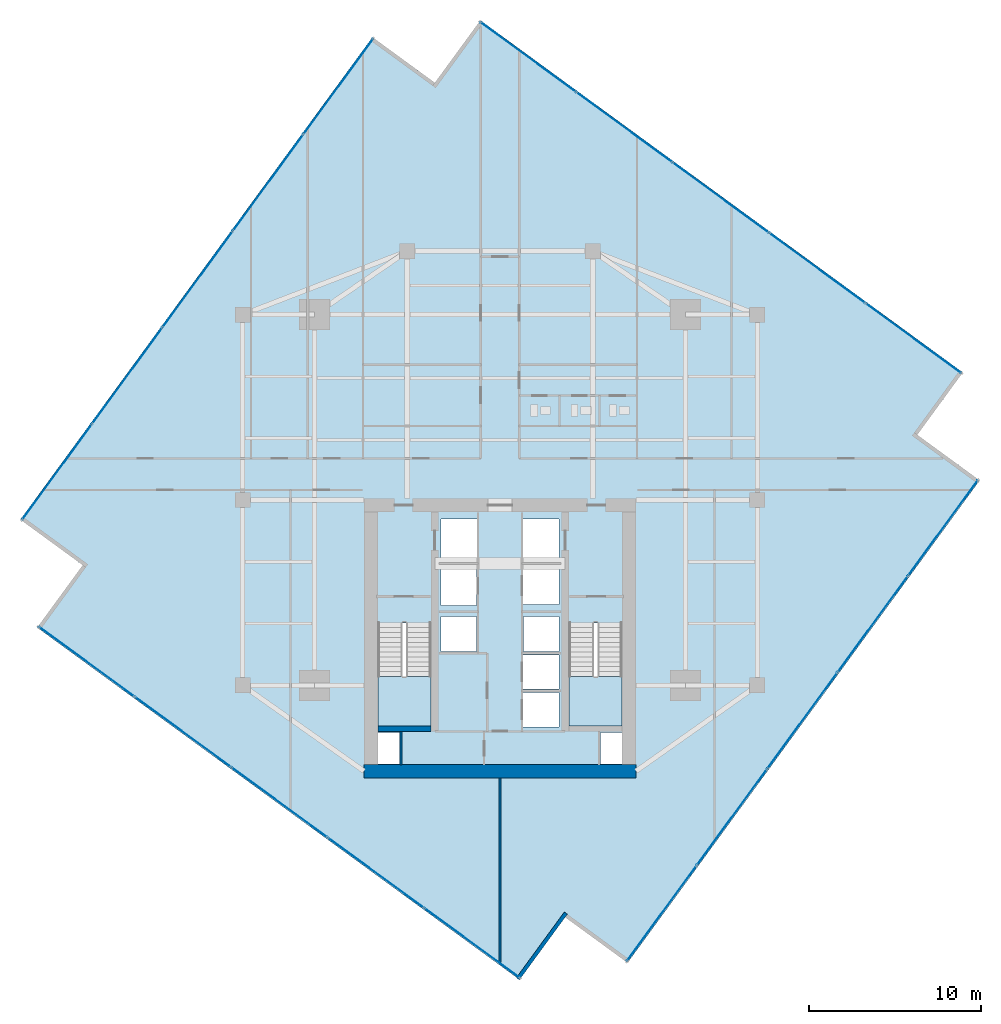
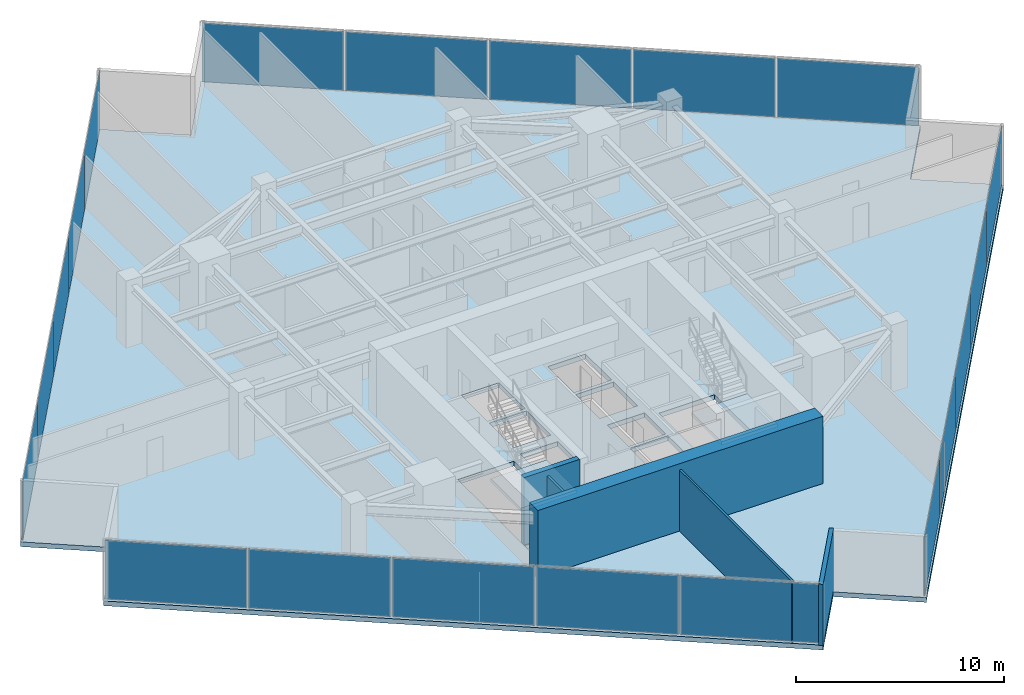
# One storey, part 20 of 25: 20 plates, 5 walls, 3 slabs, 6 elements without a shape of their own.
"""IFC4 building model written with IfcOpenShell, lengths in metres."""

from ifc_helpers import new_model, si_unit, direction, frame, frame_2d, origin, origin_2d, place, context, subcontext, project, spatial, polyline, rectangle, outline, extrude, source, transform, mapped, material, layer, layer_set, type_object, type_shapes, element, aggregate, save


model = new_model("IFC4")

# Units and contexts
model_context = context("Model", 3, precision=1e-05, world=origin(), true_north=direction((0.0, 1.0)))
body_context = subcontext(model_context, "Body", "Model", "MODEL_VIEW")
ifc_project = project(units=[si_unit("LENGTHUNIT", "METRE"), si_unit("AREAUNIT", "SQUARE_METRE"), si_unit("VOLUMEUNIT", "CUBIC_METRE"), si_unit("PLANEANGLEUNIT", "RADIAN"), si_unit("MASSUNIT", "GRAM", prefix="KILO")], contexts=[model_context])

# Site, building, storey
site_placement = place(None, origin())
site = spatial("IfcSite", under=ifc_project, at=site_placement, CompositionType="ELEMENT")
building_placement = place(site_placement, origin())
building = spatial("IfcBuilding", under=site, at=building_placement, Name="Krantzveldt Concourse Tower", CompositionType="ELEMENT")
storey_placement = place(building_placement, frame((0.0, 0.0, 197.550048828125)))
storey = spatial("IfcBuildingStorey", under=building, at=storey_placement, Name="L48", CompositionType="ELEMENT", Elevation=197.550048828125)

# Stair, slab
ifc_material_1 = material(Name="Precast concrete C40/50", Category="concrete")
stair_type = type_object("IfcStairType", Name="STR-CORE-DOGLEG", PredefinedType="HALF_TURN_STAIR", material=ifc_material_1)
stair_1_placement = place(storey_placement, origin())
stair_1 = element("IfcStair", 1, at=stair_1_placement, inside=storey, type_object=stair_type, Name="L48 Protected Escape Stair ST-1", PredefinedType="HALF_TURN_STAIR")
ifc_layer_1 = layer(ifc_material_1, 0.199951171875, Name="Precast concrete C40/50", Category="concrete")
ifc_layer_set_1 = layer_set([ifc_layer_1], Name="Precast concrete C40/50 (SL-LANDING-200)")
slab_type_1 = type_object("IfcSlabType", Name="SL-LANDING-200", PredefinedType="LANDING", material=ifc_layer_set_1)
slab_1_placement = place(storey_placement, frame((0.0, 0.0, 1.77490234375)))
slab_1 = element("IfcSlab", 2, at=slab_1_placement, type_object=slab_type_1, Name="ST-1 landing 1", PredefinedType="LANDING", context=body_context, shape_type="SweptSolid", body=[
    extrude(outline(polyline([(28.8798828125, 16.4150390625), (28.8798828125, 13.52001953125), (31.97998046875, 13.52001953125), (31.97998046875, 16.4150390625), (28.8798828125, 16.4150390625)])), origin(), (0.0, 0.0, 1.0), 0.199951171875),
])
aggregate(stair_1, [slab_1])

stair_2_placement = place(storey_placement, origin())
stair_2 = element("IfcStair", 3, at=stair_2_placement, inside=storey, type_object=stair_type, Name="L48 Protected Escape Stair ST-2", PredefinedType="HALF_TURN_STAIR")
slab_2_placement = place(storey_placement, frame((0.0, 0.0, 1.77490234375)))
slab_2 = element("IfcSlab", 4, at=slab_2_placement, type_object=slab_type_1, Name="ST-2 landing 1", PredefinedType="LANDING", context=body_context, shape_type="SweptSolid", body=[
    extrude(outline(polyline([(40.02001953125, 16.4150390625), (40.02001953125, 13.52001953125), (43.1201171875, 13.52001953125), (43.1201171875, 16.4150390625), (40.02001953125, 16.4150390625)])), origin(), (0.0, 0.0, 1.0), 0.199951171875),
])
aggregate(stair_2, [slab_2])

# Slab
ifc_material_2 = material(Name="Concrete C40/50", Category="concrete")
ifc_layer_2 = layer(ifc_material_2, 0.280029296875, Name="Concrete C40/50", Category="concrete")
ifc_layer_set_2 = layer_set([ifc_layer_2], Name="Concrete C40/50 (SL-SL-TWR280)")
slab_type_2 = type_object("IfcSlabType", Name="SL-SL-TWR280", PredefinedType="FLOOR", material=ifc_layer_set_2)
slab_3_placement = place(storey_placement, frame((0.0, 0.0, -0.280029296875)))
element("IfcSlab", 5, at=slab_3_placement, inside=storey, type_object=slab_type_2, Name="SL-L48-MAIN", PredefinedType="FLOOR", context=body_context, shape_type="SweptSolid", body=[
    extrude(outline(polyline([(32.20361328125, 51.0126953125), (28.56884765625, 53.665771484375), (8.052490234375, 25.556640625), (11.687255859375, 22.903564453125), (9.034423828125, 19.268798828125), (37.143310546875, -1.24755859375), (39.79638671875, 2.38720703125), (43.43115234375, -0.265625), (63.947509765625, 27.843505859375), (60.312744140625, 30.496337890625), (62.965576171875, 34.131103515625), (34.856689453125, 54.6474609375), (32.20361328125, 51.0126953125)]), holes=[polyline([(28.8798828125, 19.547607421875), (28.8798828125, 13.52001953125), (31.97998046875, 13.52001953125), (31.97998046875, 19.547607421875), (28.8798828125, 19.547607421875)]), polyline([(40.02001953125, 19.547607421875), (40.02001953125, 13.52001953125), (43.1201171875, 13.52001953125), (43.1201171875, 19.547607421875), (40.02001953125, 19.547607421875)]), polyline([(32.550048828125, 23.10009765625), (34.64990234375, 23.10009765625), (34.64990234375, 25.60009765625), (32.550048828125, 25.60009765625), (32.550048828125, 23.10009765625)]), polyline([(37.35009765625, 23.10009765625), (39.449951171875, 23.10009765625), (39.449951171875, 25.60009765625), (37.35009765625, 25.60009765625), (37.35009765625, 23.10009765625)]), polyline([(37.35009765625, 20.60009765625), (39.449951171875, 20.60009765625), (39.449951171875, 22.89990234375), (37.35009765625, 22.89990234375), (37.35009765625, 20.60009765625)]), polyline([(37.35009765625, 13.47998046875), (39.449951171875, 13.47998046875), (39.449951171875, 15.47998046875), (37.35009765625, 15.47998046875), (37.35009765625, 13.47998046875)]), polyline([(37.35009765625, 15.679931640625), (39.449951171875, 15.679931640625), (39.449951171875, 17.679931640625), (37.35009765625, 17.679931640625), (37.35009765625, 15.679931640625)]), polyline([(32.550048828125, 20.550048828125), (34.6201171875, 20.550048828125), (34.6201171875, 22.89990234375), (32.550048828125, 22.89990234375), (32.550048828125, 20.550048828125)]), polyline([(32.550048828125, 17.8798828125), (34.6201171875, 17.8798828125), (34.6201171875, 19.919921875), (32.550048828125, 19.919921875), (32.550048828125, 17.8798828125)]), polyline([(37.3798828125, 17.8798828125), (39.449951171875, 17.8798828125), (39.449951171875, 19.919921875), (37.3798828125, 19.919921875), (37.3798828125, 17.8798828125)]), polyline([(28.8798828125, 11.320068359375), (30.139892578125, 11.320068359375), (30.139892578125, 13.159912109375), (28.8798828125, 13.159912109375), (28.8798828125, 11.320068359375)]), polyline([(41.860107421875, 11.320068359375), (43.1201171875, 11.320068359375), (43.1201171875, 13.159912109375), (41.860107421875, 13.159912109375), (41.860107421875, 11.320068359375)])]), origin(), (0.0, 0.0, 1.0), 0.280029296875),
])

# Curtain wall, plates
ifc_material_3 = material(Name="Anodised aluminium 6063-T6", Category="aluminium")
curtain_wall_type = type_object("IfcCurtainWallType", Name="CW3", PredefinedType="USERDEFINED", material=ifc_material_3)
curtain_wall_1_placement = place(storey_placement, origin())
curtain_wall_1 = element("IfcCurtainWall", 6, at=curtain_wall_1_placement, inside=storey, type_object=curtain_wall_type, Name="CW-L48-F01", ObjectType="UNITISED CURTAIN WALL", PredefinedType="USERDEFINED")
ifc_material_4 = material(Name="Bronze-tinted laminated low-E IGU glass", Category="glass")
ifc_layer_3 = layer(ifc_material_4, 0.031982421875, Name="Bronze-tinted laminated low-E IGU glass", Category="glass")
ifc_layer_set_3 = layer_set([ifc_layer_3], Name="Bronze-tinted laminated low-E IGU glass (CW-GLZ-32)")
plate_type = type_object("IfcPlateType", Name="CW-GLZ-32", PredefinedType="CURTAIN_PANEL", material=ifc_layer_set_3)
shared_shape_1 = source(origin(), body_context, "Body", "SweptSolid", [
    extrude(rectangle(XDim=6.85498046875, YDim=0.031982421875, at=origin_2d()), origin(), (0.0, 0.0, 1.0), 3.449951171875),
])
plate_1_placement = place(storey_placement, frame((26.57958984375, 50.78759765625, 0.06982421875), z_axis=(0.0, 0.0, 1.0), x_axis=(-0.589548833895, -0.807732735781, 0.0)))
plate_1 = element("IfcPlate", 7, at=plate_1_placement, type_object=plate_type, Name="CW-Z34 panel 1.1", PredefinedType="CURTAIN_PANEL", context=body_context, shape_type="MappedRepresentation", body=[
    mapped(shared_shape_1, transform((0.0, 0.0, 0.0), x_axis=(1.0, 0.0, 0.0), y_axis=(0.0, 1.0, 0.0), z_axis=(0.0, 0.0, 1.0), scale=1.0)),
])
plate_2_placement = place(storey_placement, frame((10.187255859375, 28.32861328125, 0.06982421875), z_axis=(0.0, 0.0, 1.0), x_axis=(-0.589548833895, -0.807732735781, 0.0)))
plate_2 = element("IfcPlate", 8, at=plate_2_placement, type_object=plate_type, Name="CW-Z34 panel 5.1", PredefinedType="CURTAIN_PANEL", context=body_context, shape_type="MappedRepresentation", body=[
    mapped(shared_shape_1, transform((0.0, 0.0, 0.0), x_axis=(1.0, 0.0, 0.0), y_axis=(0.0, 1.0, 0.0), z_axis=(0.0, 0.0, 1.0), scale=1.0)),
])

curtain_wall_2_placement = place(storey_placement, origin())
curtain_wall_2 = element("IfcCurtainWall", 9, at=curtain_wall_2_placement, inside=storey, type_object=curtain_wall_type, Name="CW-L48-F04", ObjectType="UNITISED CURTAIN WALL", PredefinedType="USERDEFINED")
plate_3_placement = place(storey_placement, frame((11.912353515625, 17.279541015625, 0.06982421875), z_axis=(0.0, 0.0, 1.0), x_axis=(0.807732735781, -0.589548833895, 0.0)))
plate_3 = element("IfcPlate", 10, at=plate_3_placement, type_object=plate_type, Name="CW-Z34 panel 1.1", PredefinedType="CURTAIN_PANEL", context=body_context, shape_type="MappedRepresentation", body=[
    mapped(shared_shape_1, transform((0.0, 0.0, 0.0), x_axis=(1.0, 0.0, 0.0), y_axis=(0.0, 1.0, 0.0), z_axis=(0.0, 0.0, 1.0), scale=1.0)),
])
plate_4_placement = place(storey_placement, frame((34.371337890625, 0.88720703125, 0.06982421875), z_axis=(0.0, 0.0, 1.0), x_axis=(0.807732735781, -0.589548833895, 0.0)))
plate_4 = element("IfcPlate", 11, at=plate_4_placement, type_object=plate_type, Name="CW-Z34 panel 5.1", PredefinedType="CURTAIN_PANEL", context=body_context, shape_type="MappedRepresentation", body=[
    mapped(shared_shape_1, transform((0.0, 0.0, 0.0), x_axis=(1.0, 0.0, 0.0), y_axis=(0.0, 1.0, 0.0), z_axis=(0.0, 0.0, 1.0), scale=1.0)),
])

curtain_wall_3_placement = place(storey_placement, origin())
curtain_wall_3 = element("IfcCurtainWall", 12, at=curtain_wall_3_placement, inside=storey, type_object=curtain_wall_type, Name="CW-L48-F07", ObjectType="UNITISED CURTAIN WALL", PredefinedType="USERDEFINED")
plate_5_placement = place(storey_placement, frame((45.42041015625, 2.612548828125, 0.06982421875), z_axis=(0.0, 0.0, 1.0), x_axis=(0.589548833895, 0.807732735781, 0.0)))
plate_5 = element("IfcPlate", 13, at=plate_5_placement, type_object=plate_type, Name="CW-Z34 panel 1.1", PredefinedType="CURTAIN_PANEL", context=body_context, shape_type="MappedRepresentation", body=[
    mapped(shared_shape_1, transform((0.0, 0.0, 0.0), x_axis=(1.0, 0.0, 0.0), y_axis=(0.0, 1.0, 0.0), z_axis=(0.0, 0.0, 1.0), scale=1.0)),
])
plate_6_placement = place(storey_placement, frame((61.812744140625, 25.071533203125, 0.06982421875), z_axis=(0.0, 0.0, 1.0), x_axis=(0.589548833895, 0.807732735781, 0.0)))
plate_6 = element("IfcPlate", 14, at=plate_6_placement, type_object=plate_type, Name="CW-Z34 panel 5.1", PredefinedType="CURTAIN_PANEL", context=body_context, shape_type="MappedRepresentation", body=[
    mapped(shared_shape_1, transform((0.0, 0.0, 0.0), x_axis=(1.0, 0.0, 0.0), y_axis=(0.0, 1.0, 0.0), z_axis=(0.0, 0.0, 1.0), scale=1.0)),
])

curtain_wall_4_placement = place(storey_placement, origin())
curtain_wall_4 = element("IfcCurtainWall", 15, at=curtain_wall_4_placement, inside=storey, type_object=curtain_wall_type, Name="CW-L48-F10", ObjectType="UNITISED CURTAIN WALL", PredefinedType="USERDEFINED")
plate_7_placement = place(storey_placement, frame((60.087646484375, 36.120361328125, 0.06982421875), z_axis=(0.0, 0.0, 1.0), x_axis=(-0.807732735781, 0.589548833895, 0.0)))
plate_7 = element("IfcPlate", 16, at=plate_7_placement, type_object=plate_type, Name="CW-Z34 panel 1.1", PredefinedType="CURTAIN_PANEL", context=body_context, shape_type="MappedRepresentation", body=[
    mapped(shared_shape_1, transform((0.0, 0.0, 0.0), x_axis=(1.0, 0.0, 0.0), y_axis=(0.0, 1.0, 0.0), z_axis=(0.0, 0.0, 1.0), scale=1.0)),
])
plate_8_placement = place(storey_placement, frame((37.628662109375, 52.512939453125, 0.06982421875), z_axis=(0.0, 0.0, 1.0), x_axis=(-0.807732735781, 0.589548833895, 0.0)))
plate_8 = element("IfcPlate", 17, at=plate_8_placement, type_object=plate_type, Name="CW-Z34 panel 5.1", PredefinedType="CURTAIN_PANEL", context=body_context, shape_type="MappedRepresentation", body=[
    mapped(shared_shape_1, transform((0.0, 0.0, 0.0), x_axis=(1.0, 0.0, 0.0), y_axis=(0.0, 1.0, 0.0), z_axis=(0.0, 0.0, 1.0), scale=1.0)),
])

# Plate
shared_shape_2 = source(origin(), body_context, "Body", "SweptSolid", [
    extrude(rectangle(XDim=6.889892578125, YDim=0.031982421875, at=origin_2d()), origin(), (0.0, 0.0, 1.0), 3.449951171875),
])
type_shapes(plate_type, [shared_shape_1, shared_shape_2])
plate_9_placement = place(storey_placement, frame((22.486572265625, 45.179931640625, 0.06982421875), z_axis=(0.0, 0.0, 1.0), x_axis=(-0.589548833895, -0.807732735781, 0.0)))
plate_9 = element("IfcPlate", 18, at=plate_9_placement, type_object=plate_type, Name="CW-Z34 panel 2.1", PredefinedType="CURTAIN_PANEL", context=body_context, shape_type="MappedRepresentation", body=[
    mapped(shared_shape_2, transform((0.0, 0.0, 0.0), x_axis=(1.0, 0.0, 0.0), y_axis=(0.0, 1.0, 0.0), z_axis=(0.0, 0.0, 1.0), scale=1.0)),
])

plate_10_placement = place(storey_placement, frame((18.38330078125, 39.55810546875, 0.06982421875), z_axis=(0.0, 0.0, 1.0), x_axis=(-0.589548833895, -0.807732735781, 0.0)))
plate_10 = element("IfcPlate", 19, at=plate_10_placement, type_object=plate_type, Name="CW-Z34 panel 3.1", PredefinedType="CURTAIN_PANEL", context=body_context, shape_type="MappedRepresentation", body=[
    mapped(shared_shape_2, transform((0.0, 0.0, 0.0), x_axis=(1.0, 0.0, 0.0), y_axis=(0.0, 1.0, 0.0), z_axis=(0.0, 0.0, 1.0), scale=1.0)),
])

plate_11_placement = place(storey_placement, frame((14.280029296875, 33.936279296875, 0.06982421875), z_axis=(0.0, 0.0, 1.0), x_axis=(-0.589548833895, -0.807732735781, 0.0)))
plate_11 = element("IfcPlate", 20, at=plate_11_placement, type_object=plate_type, Name="CW-Z34 panel 4.1", PredefinedType="CURTAIN_PANEL", context=body_context, shape_type="MappedRepresentation", body=[
    mapped(shared_shape_2, transform((0.0, 0.0, 0.0), x_axis=(1.0, 0.0, 0.0), y_axis=(0.0, 1.0, 0.0), z_axis=(0.0, 0.0, 1.0), scale=1.0)),
])

aggregate(curtain_wall_1, [plate_1, plate_9, plate_10, plate_11, plate_2])

plate_12_placement = place(storey_placement, frame((17.52001953125, 13.1865234375, 0.06982421875), z_axis=(0.0, 0.0, 1.0), x_axis=(0.807732735781, -0.589548833895, 0.0)))
plate_12 = element("IfcPlate", 21, at=plate_12_placement, type_object=plate_type, Name="CW-Z34 panel 2.1", PredefinedType="CURTAIN_PANEL", context=body_context, shape_type="MappedRepresentation", body=[
    mapped(shared_shape_2, transform((0.0, 0.0, 0.0), x_axis=(1.0, 0.0, 0.0), y_axis=(0.0, 1.0, 0.0), z_axis=(0.0, 0.0, 1.0), scale=1.0)),
])

plate_13_placement = place(storey_placement, frame((23.141845703125, 9.083251953125, 0.06982421875), z_axis=(0.0, 0.0, 1.0), x_axis=(0.807732735781, -0.589548833895, 0.0)))
plate_13 = element("IfcPlate", 22, at=plate_13_placement, type_object=plate_type, Name="CW-Z34 panel 3.1", PredefinedType="CURTAIN_PANEL", context=body_context, shape_type="MappedRepresentation", body=[
    mapped(shared_shape_2, transform((0.0, 0.0, 0.0), x_axis=(1.0, 0.0, 0.0), y_axis=(0.0, 1.0, 0.0), z_axis=(0.0, 0.0, 1.0), scale=1.0)),
])

plate_14_placement = place(storey_placement, frame((28.763671875, 4.97998046875, 0.06982421875), z_axis=(0.0, 0.0, 1.0), x_axis=(0.807732735781, -0.589548833895, 0.0)))
plate_14 = element("IfcPlate", 23, at=plate_14_placement, type_object=plate_type, Name="CW-Z34 panel 4.1", PredefinedType="CURTAIN_PANEL", context=body_context, shape_type="MappedRepresentation", body=[
    mapped(shared_shape_2, transform((0.0, 0.0, 0.0), x_axis=(1.0, 0.0, 0.0), y_axis=(0.0, 1.0, 0.0), z_axis=(0.0, 0.0, 1.0), scale=1.0)),
])

aggregate(curtain_wall_2, [plate_3, plate_12, plate_13, plate_14, plate_4])

plate_15_placement = place(storey_placement, frame((49.513427734375, 8.22021484375, 0.06982421875), z_axis=(0.0, 0.0, 1.0), x_axis=(0.589548833895, 0.807732735781, 0.0)))
plate_15 = element("IfcPlate", 24, at=plate_15_placement, type_object=plate_type, Name="CW-Z34 panel 2.1", PredefinedType="CURTAIN_PANEL", context=body_context, shape_type="MappedRepresentation", body=[
    mapped(shared_shape_2, transform((0.0, 0.0, 0.0), x_axis=(1.0, 0.0, 0.0), y_axis=(0.0, 1.0, 0.0), z_axis=(0.0, 0.0, 1.0), scale=1.0)),
])

plate_16_placement = place(storey_placement, frame((53.61669921875, 13.842041015625, 0.06982421875), z_axis=(0.0, 0.0, 1.0), x_axis=(0.589548833895, 0.807732735781, 0.0)))
plate_16 = element("IfcPlate", 25, at=plate_16_placement, type_object=plate_type, Name="CW-Z34 panel 3.1", PredefinedType="CURTAIN_PANEL", context=body_context, shape_type="MappedRepresentation", body=[
    mapped(shared_shape_2, transform((0.0, 0.0, 0.0), x_axis=(1.0, 0.0, 0.0), y_axis=(0.0, 1.0, 0.0), z_axis=(0.0, 0.0, 1.0), scale=1.0)),
])

plate_17_placement = place(storey_placement, frame((57.719970703125, 19.4638671875, 0.06982421875), z_axis=(0.0, 0.0, 1.0), x_axis=(0.589548833895, 0.807732735781, 0.0)))
plate_17 = element("IfcPlate", 26, at=plate_17_placement, type_object=plate_type, Name="CW-Z34 panel 4.1", PredefinedType="CURTAIN_PANEL", context=body_context, shape_type="MappedRepresentation", body=[
    mapped(shared_shape_2, transform((0.0, 0.0, 0.0), x_axis=(1.0, 0.0, 0.0), y_axis=(0.0, 1.0, 0.0), z_axis=(0.0, 0.0, 1.0), scale=1.0)),
])

aggregate(curtain_wall_3, [plate_5, plate_15, plate_16, plate_17, plate_6])

plate_18_placement = place(storey_placement, frame((54.47998046875, 40.21337890625, 0.06982421875), z_axis=(0.0, 0.0, 1.0), x_axis=(-0.807732735781, 0.589548833895, 0.0)))
plate_18 = element("IfcPlate", 27, at=plate_18_placement, type_object=plate_type, Name="CW-Z34 panel 2.1", PredefinedType="CURTAIN_PANEL", context=body_context, shape_type="MappedRepresentation", body=[
    mapped(shared_shape_2, transform((0.0, 0.0, 0.0), x_axis=(1.0, 0.0, 0.0), y_axis=(0.0, 1.0, 0.0), z_axis=(0.0, 0.0, 1.0), scale=1.0)),
])

plate_19_placement = place(storey_placement, frame((48.858154296875, 44.316650390625, 0.06982421875), z_axis=(0.0, 0.0, 1.0), x_axis=(-0.807732735781, 0.589548833895, 0.0)))
plate_19 = element("IfcPlate", 28, at=plate_19_placement, type_object=plate_type, Name="CW-Z34 panel 3.1", PredefinedType="CURTAIN_PANEL", context=body_context, shape_type="MappedRepresentation", body=[
    mapped(shared_shape_2, transform((0.0, 0.0, 0.0), x_axis=(1.0, 0.0, 0.0), y_axis=(0.0, 1.0, 0.0), z_axis=(0.0, 0.0, 1.0), scale=1.0)),
])

plate_20_placement = place(storey_placement, frame((43.236328125, 48.419921875, 0.06982421875), z_axis=(0.0, 0.0, 1.0), x_axis=(-0.807732735781, 0.589548833895, 0.0)))
plate_20 = element("IfcPlate", 29, at=plate_20_placement, type_object=plate_type, Name="CW-Z34 panel 4.1", PredefinedType="CURTAIN_PANEL", context=body_context, shape_type="MappedRepresentation", body=[
    mapped(shared_shape_2, transform((0.0, 0.0, 0.0), x_axis=(1.0, 0.0, 0.0), y_axis=(0.0, 1.0, 0.0), z_axis=(0.0, 0.0, 1.0), scale=1.0)),
])

aggregate(curtain_wall_4, [plate_7, plate_18, plate_19, plate_20, plate_8])

# Walls
ifc_layer_4 = layer(ifc_material_3, 0.219970703125, Name="Anodised aluminium 6063-T6", Category="aluminium")
ifc_layer_set_4 = layer_set([ifc_layer_4], Name="Anodised aluminium 6063-T6 (WL-EXT-NOTCH220)")
wall_type_1 = type_object("IfcWallType", Name="WL-EXT-NOTCH220", PredefinedType="ELEMENTEDWALL", material=ifc_layer_set_4)
wall_1_placement = place(storey_placement, frame((37.039794921875, -1.202880859375, 0.0), z_axis=(0.0, 0.0, 1.0), x_axis=(0.589535308044, 0.807742607871, 0.0)))
element("IfcWall", 30, at=wall_1_placement, inside=storey, type_object=wall_type_1, Name="EW-L48-NCH05", PredefinedType="ELEMENTEDWALL", context=body_context, shape_type="SweptSolid", body=[
    extrude(rectangle(XDim=4.7451171875, YDim=0.219970703125, at=frame_2d((2.37255859375, 0.0))), origin(), (0.0, 0.0, 1.0), 3.58984375),
])
ifc_material_5 = material(Name="Fire-rated gypsum plasterboard on steel stud", Category="steel")
ifc_layer_5 = layer(ifc_material_5, 0.1201171875, Name="Fire-rated gypsum plasterboard on steel stud", Category="steel")
ifc_layer_set_5 = layer_set([ifc_layer_5], Name="Fire-rated gypsum plasterboard on steel stud (WL-PART-120)")
wall_type_2 = type_object("IfcWallType", Name="WL-PART-120", PredefinedType="PARTITIONING", material=ifc_layer_set_5)
wall_2_placement = place(storey_placement, frame((36.0, -0.301513671875, 0.0), z_axis=(0.0, 0.0, 1.0), x_axis=(0.0, 1.0, 0.0)))
element("IfcWall", 31, at=wall_2_placement, inside=storey, type_object=wall_type_2, Name="WP-L48-SMID", PredefinedType="PARTITIONING", context=body_context, shape_type="SweptSolid", body=[
    extrude(rectangle(XDim=10.801513671875, YDim=0.1201171875, at=frame_2d((5.40087890625, 0.0))), origin(), (0.0, 0.0, 1.0), 3.58984375),
])
ifc_layer_6 = layer(ifc_material_5, 0.139892578125, Name="Fire-rated gypsum plasterboard on steel stud", Category="steel")
ifc_layer_set_6 = layer_set([ifc_layer_6], Name="Fire-rated gypsum plasterboard on steel stud (WL-PART-FR140)")
wall_type_3 = type_object("IfcWallType", Name="WL-PART-FR140", PredefinedType="PARTITIONING", material=ifc_layer_set_6)
wall_3_placement = place(storey_placement, frame((30.219970703125, 11.25, 0.0), z_axis=(0.0, 0.0, 1.0), x_axis=(0.0, 1.0, 0.0)))
element("IfcWall", 32, at=wall_3_placement, inside=storey, type_object=wall_type_3, Name="WP-L48-RSW", PredefinedType="PARTITIONING", context=body_context, shape_type="SweptSolid", body=[
    extrude(rectangle(XDim=1.969970703125, YDim=0.1201171875, at=frame_2d((0.98486328125, 0.0))), origin(), (0.0, 0.0, 1.0), 3.58984375),
])
ifc_material_6 = material(Name="Concrete C50/60", Category="concrete")
ifc_layer_7 = layer(ifc_material_6, 0.300048828125, Name="Concrete C50/60", Category="concrete")
ifc_layer_set_7 = layer_set([ifc_layer_7], Name="Concrete C50/60 (WL-SHEAR-300)")
wall_type_4 = type_object("IfcWallType", Name="WL-SHEAR-300", PredefinedType="SHEAR", material=ifc_layer_set_7)
wall_4_placement = place(storey_placement, frame((28.8798828125, 13.3701171875, 0.0), z_axis=(0.0, 0.0, 1.0), x_axis=(1.0, 0.0, 0.0)))
element("IfcWall", 33, at=wall_4_placement, inside=storey, type_object=wall_type_4, Name="CW-L48-ST1S", PredefinedType="SHEAR", context=body_context, shape_type="SweptSolid", body=[
    extrude(rectangle(XDim=3.10009765625, YDim=0.300048828125, at=frame_2d((1.550048828125, 0.0))), origin(), (0.0, 0.0, 1.0), 3.949951171875),
])
ifc_material_7 = material(Name="Concrete C60/75", Category="concrete")
ifc_layer_8 = layer(ifc_material_7, 0.800048828125, Name="Concrete C60/75", Category="concrete")
ifc_layer_set_8 = layer_set([ifc_layer_8], Name="Concrete C60/75 (WL-SHEAR-800)")
wall_type_5 = type_object("IfcWallType", Name="WL-SHEAR-800", PredefinedType="SHEAR", material=ifc_layer_set_8)
wall_5_placement = place(storey_placement, frame((28.080078125, 10.89990234375, 0.0), z_axis=(0.0, 0.0, 1.0), x_axis=(1.0, 0.0, 0.0)))
element("IfcWall", 34, at=wall_5_placement, inside=storey, type_object=wall_type_5, Name="CW-L48-S", PredefinedType="SHEAR", context=body_context, shape_type="SweptSolid", body=[
    extrude(rectangle(XDim=15.83984375, YDim=0.800048828125, at=frame_2d((7.919921875, 0.0))), origin(), (0.0, 0.0, 1.0), 3.949951171875),
])

save(model, "model.ifc")
